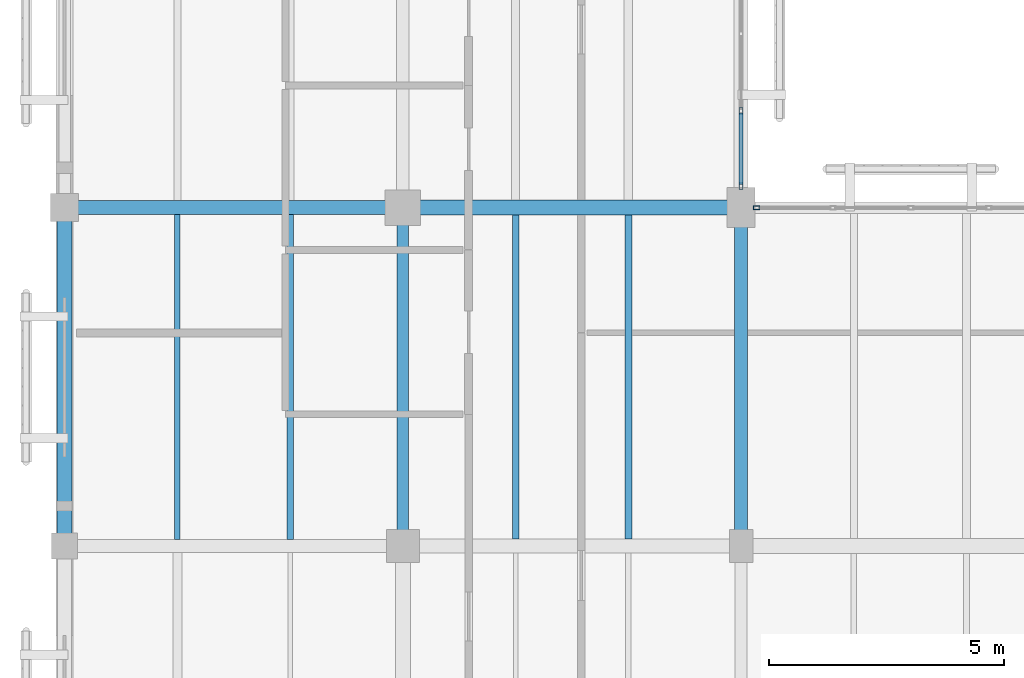
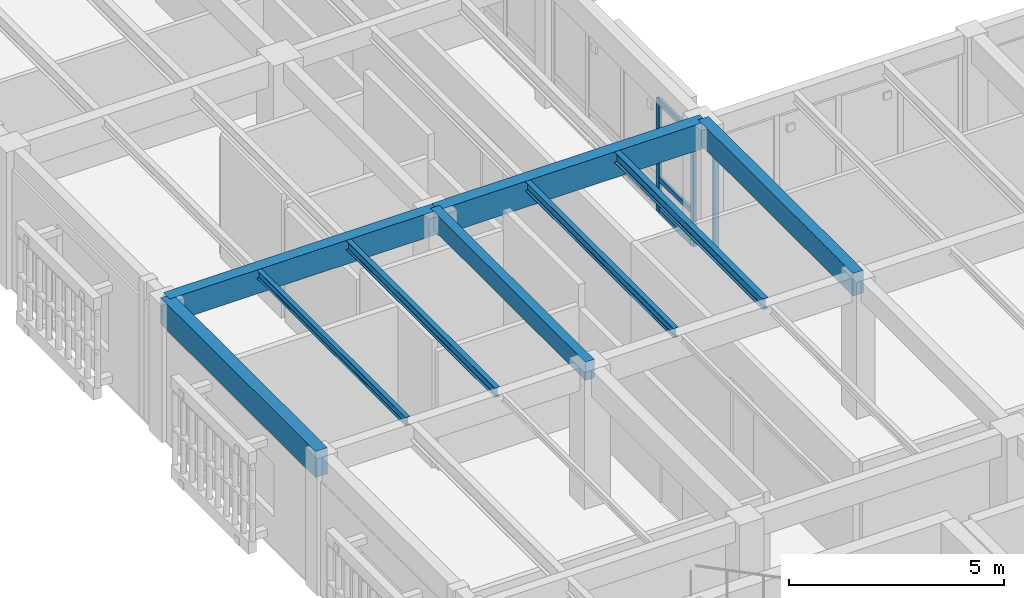
# One storey, part 28 of 170: 9 beams, 6 members, 2 elements without a shape of their own.
"""IFC4 building model written with IfcOpenShell, lengths in metres."""

from ifc_helpers import new_model, si_unit, direction, frame, origin, origin_2d, place, context, subcontext, project, spatial, rectangle, hollow_rectangle, i_section, extrude, material, layer, layer_set, material_profile, profile_set, type_object, element, aggregate, save


model = new_model("IFC4")

# Units and contexts
model_context = context("Model", 3, precision=1e-05, world=origin(), true_north=direction((0.0, 1.0)))
body_context = subcontext(model_context, "Body", "Model", "MODEL_VIEW")
ifc_project = project(units=[si_unit("LENGTHUNIT", "METRE"), si_unit("AREAUNIT", "SQUARE_METRE"), si_unit("VOLUMEUNIT", "CUBIC_METRE"), si_unit("PLANEANGLEUNIT", "RADIAN"), si_unit("MASSUNIT", "GRAM", prefix="KILO")], contexts=[model_context])

# Site, building, storey
site_placement = place(None, origin())
site = spatial("IfcSite", under=ifc_project, at=site_placement, CompositionType="ELEMENT")
building_placement = place(site_placement, origin())
building = spatial("IfcBuilding", under=site, at=building_placement, Name="Mazaris Harbour Polytechnic", CompositionType="ELEMENT")
storey_placement = place(building_placement, frame((0.0, 0.0, 5.39990234375)))
storey = spatial("IfcBuildingStorey", under=building, at=storey_placement, Name="L01", CompositionType="ELEMENT", Elevation=5.39990234375)

# Curtain wall, member
ifc_material_1 = material(Name="Anodised Bronze Aluminium and Low-E Glass", Category="aluminium")
ifc_layer = layer(ifc_material_1, 0.159912109375, Name="Anodised Bronze Aluminium and Low-E Glass")
ifc_layer_set = layer_set([ifc_layer], Name="Anodised Bronze Aluminium and Low-E Glass")
curtain_wall_type = type_object("IfcCurtainWallType", Name="Cloister Court Curtain Wall", PredefinedType="NOTDEFINED", material=ifc_layer_set)
curtain_wall_1_placement = place(storey_placement, origin())
curtain_wall_1 = element("IfcCurtainWall", 1, at=curtain_wall_1_placement, inside=storey, type_object=curtain_wall_type, Name="V4 L01 Curtain Wall 116", PredefinedType="NOTDEFINED")
ifc_material_2 = material(Name="Anodised Bronze Steel S355", Category="steel")
ifc_material_profile_1 = material_profile(ifc_material_2, hollow_rectangle(XDim=0.080078125, YDim=0.139892578125, WallThickness=0.00634765625, at=origin_2d()), Name="RHS 80x140x6.3")
ifc_profile_set_1 = profile_set([ifc_material_profile_1], Name="Anodised Bronze Steel S355")
member_type_1 = type_object("IfcMemberType", Name="Curtain Mullion RHS80x140", PredefinedType="MULLION", material=ifc_profile_set_1)
member_1_placement = place(storey_placement, frame((14.73193359375, 36.0, 0.0), z_axis=(0.0, 0.0, 1.0), x_axis=(0.0, 1.0, 0.0)))
member_1 = element("IfcMember", 2, at=member_1_placement, type_object=member_type_1, Name="CW-02 mullion 1", PredefinedType="MULLION", context=body_context, shape_type="SweptSolid", body=[
    extrude(hollow_rectangle(XDim=0.080078125, YDim=0.139892578125, WallThickness=0.00634765625, at=origin_2d()), origin(), (0.0, 0.0, 1.0), 3.360107421875),
])
aggregate(curtain_wall_1, [member_1])

# Curtain wall, members
curtain_wall_2_placement = place(storey_placement, origin())
curtain_wall_2 = element("IfcCurtainWall", 3, at=curtain_wall_2_placement, inside=storey, type_object=curtain_wall_type, Name="V4 L01 Curtain Wall 120", PredefinedType="NOTDEFINED")
member_2_placement = place(storey_placement, frame((14.39990234375, 36.45703125, 0.0), z_axis=(0.0, 0.0, 1.0), x_axis=(-1.0, 0.0, 0.0)))
member_2 = element("IfcMember", 4, at=member_2_placement, type_object=member_type_1, Name="CW-02 mullion 1", PredefinedType="MULLION", context=body_context, shape_type="SweptSolid", body=[
    extrude(hollow_rectangle(XDim=0.080078125, YDim=0.139892578125, WallThickness=0.00634765625, at=origin_2d()), origin(), (0.0, 0.0, 1.0), 3.2001953125),
])
member_3_placement = place(storey_placement, frame((14.39990234375, 38.05859375, 0.0), z_axis=(0.0, 0.0, 1.0), x_axis=(-1.0, 0.0, 0.0)))
member_3 = element("IfcMember", 5, at=member_3_placement, type_object=member_type_1, Name="CW-02 mullion 2", PredefinedType="MULLION", context=body_context, shape_type="SweptSolid", body=[
    extrude(hollow_rectangle(XDim=0.080078125, YDim=0.139892578125, WallThickness=0.00634765625, at=origin_2d()), origin(), (0.0, 0.0, 1.0), 3.2001953125),
])
ifc_material_3 = material(Name="Anodised Bronze Steel S355", Category="steel")
ifc_material_profile_2 = material_profile(ifc_material_3, hollow_rectangle(XDim=0.080078125, YDim=0.139892578125, WallThickness=0.00634765625, at=origin_2d()), Name="RHS 80x140x6.3")
ifc_profile_set_2 = profile_set([ifc_material_profile_2], Name="Anodised Bronze Steel S355")
member_type_2 = type_object("IfcMemberType", Name="Curtain Transom RHS80x140", PredefinedType="USERDEFINED", material=ifc_profile_set_2)
member_4_placement = place(storey_placement, frame((14.39990234375, 36.4970703125, 0.0400390625), z_axis=(0.0, 1.0, 0.0), x_axis=(-1.0, 0.0, 0.0)))
member_4 = element("IfcMember", 6, at=member_4_placement, type_object=member_type_2, Name="CW-02 transom 1.1", ObjectType="TRANSOM", PredefinedType="USERDEFINED", context=body_context, shape_type="SweptSolid", body=[
    extrude(hollow_rectangle(XDim=0.080078125, YDim=0.139892578125, WallThickness=0.00634765625, at=origin_2d()), origin(), (0.0, 0.0, 1.0), 1.521484375),
])
member_5_placement = place(storey_placement, frame((14.39990234375, 36.4970703125, 0.9501953125), z_axis=(0.0, 1.0, 0.0), x_axis=(-1.0, 0.0, 0.0)))
member_5 = element("IfcMember", 7, at=member_5_placement, type_object=member_type_2, Name="CW-02 transom 1.2", ObjectType="TRANSOM", PredefinedType="USERDEFINED", context=body_context, shape_type="SweptSolid", body=[
    extrude(hollow_rectangle(XDim=0.080078125, YDim=0.139892578125, WallThickness=0.00634765625, at=origin_2d()), origin(), (0.0, 0.0, 1.0), 1.521484375),
])
member_6_placement = place(storey_placement, frame((14.39990234375, 36.4970703125, 3.16015625), z_axis=(0.0, 1.0, 0.0), x_axis=(-1.0, 0.0, 0.0)))
member_6 = element("IfcMember", 8, at=member_6_placement, type_object=member_type_2, Name="CW-02 transom 1.3", ObjectType="TRANSOM", PredefinedType="USERDEFINED", context=body_context, shape_type="SweptSolid", body=[
    extrude(hollow_rectangle(XDim=0.080078125, YDim=0.139892578125, WallThickness=0.00634765625, at=origin_2d()), origin(), (0.0, 0.0, 1.0), 1.521484375),
])
aggregate(curtain_wall_2, [member_2, member_3, member_4, member_5, member_6])

# Beams
ifc_material_4 = material(Name="Glulam GL32h", Category="wood")
ifc_material_profile_3 = material_profile(ifc_material_4, rectangle(XDim=0.239990234375, YDim=0.52001953125, at=origin_2d()), Name="RECT240x520")
ifc_profile_set_3 = profile_set([ifc_material_profile_3], Name="Glulam GL32h")
beam_type_1 = type_object("IfcBeamType", Name="Glulam Girder 240x520", PredefinedType="BEAM", material=ifc_profile_set_3)
beam_1_placement = place(storey_placement, frame((7.199951171875, 28.800048828125, 3.630126953125), z_axis=(0.0, 1.0, 0.0), x_axis=(-1.0, 0.0, 0.0)))
element("IfcBeam", 9, at=beam_1_placement, inside=storey, type_object=beam_type_1, Name="V4 L01 Tie Girder 1710", PredefinedType="BEAM", context=body_context, shape_type="SweptSolid", body=[
    extrude(rectangle(XDim=0.239990234375, YDim=0.52001953125, at=origin_2d()), origin(), (0.0, 0.0, 1.0), 7.199951171875),
])
ifc_material_5 = material(Name="Glulam GL32h", Category="wood")
ifc_material_profile_4 = material_profile(ifc_material_5, rectangle(XDim=0.280029296875, YDim=0.639892578125, at=origin_2d()), Name="RECT280x640")
ifc_profile_set_4 = profile_set([ifc_material_profile_4], Name="Glulam GL32h")
beam_type_2 = type_object("IfcBeamType", Name="Glulam Girder 280x640", PredefinedType="BEAM", material=ifc_profile_set_4)
beam_2_placement = place(storey_placement, frame((14.39990234375, 28.800048828125, 3.570068359375), z_axis=(0.0, 1.0, 0.0), x_axis=(-1.0, 0.0, 0.0)))
element("IfcBeam", 10, at=beam_2_placement, inside=storey, type_object=beam_type_2, Name="V4 L01 Tie Girder 1722", PredefinedType="BEAM", context=body_context, shape_type="SweptSolid", body=[
    extrude(rectangle(XDim=0.280029296875, YDim=0.639892578125, at=origin_2d()), origin(), (0.0, 0.0, 1.0), 7.199951171875),
])
ifc_material_6 = material(Name="Glulam GL32h", Category="wood")
ifc_material_profile_5 = material_profile(ifc_material_6, rectangle(XDim=0.300048828125, YDim=0.679931640625, at=origin_2d()), Name="RECT300x680")
ifc_profile_set_5 = profile_set([ifc_material_profile_5], Name="Glulam GL32h")
beam_type_3 = type_object("IfcBeamType", Name="Glulam Girder 300x680", PredefinedType="BEAM", material=ifc_profile_set_5)
beam_3_placement = place(storey_placement, frame((0.0, 36.0, 3.550048828125), z_axis=(1.0, 0.0, 0.0), x_axis=(0.0, 1.0, 0.0)))
element("IfcBeam", 11, at=beam_3_placement, inside=storey, type_object=beam_type_3, Name="V4 L01 Girder 1648", PredefinedType="BEAM", context=body_context, shape_type="SweptSolid", body=[
    extrude(rectangle(XDim=0.300048828125, YDim=0.679931640625, at=origin_2d()), origin(), (0.0, 0.0, 1.0), 7.199951171875),
])
ifc_material_7 = material(Name="Glulam GL32h", Category="wood")
ifc_material_profile_6 = material_profile(ifc_material_7, rectangle(XDim=0.320068359375, YDim=0.739990234375, at=origin_2d()), Name="RECT320x740")
ifc_profile_set_6 = profile_set([ifc_material_profile_6], Name="Glulam GL32h")
beam_type_4 = type_object("IfcBeamType", Name="Glulam Girder 320x740", PredefinedType="BEAM", material=ifc_profile_set_6)
beam_4_placement = place(storey_placement, frame((7.199951171875, 36.0, 3.52001953125), z_axis=(1.0, 0.0, 0.0), x_axis=(0.0, 1.0, 0.0)))
element("IfcBeam", 12, at=beam_4_placement, inside=storey, type_object=beam_type_4, Name="V4 L01 Girder 1649", PredefinedType="BEAM", context=body_context, shape_type="SweptSolid", body=[
    extrude(rectangle(XDim=0.320068359375, YDim=0.739990234375, at=origin_2d()), origin(), (0.0, 0.0, 1.0), 7.199951171875),
])
ifc_material_8 = material(Name="Glulam GL32h", Category="wood")
ifc_material_profile_7 = material_profile(ifc_material_8, rectangle(XDim=0.320068359375, YDim=0.739990234375, at=origin_2d()), Name="RECT320x740")
ifc_profile_set_7 = profile_set([ifc_material_profile_7], Name="Glulam GL32h")
beam_type_5 = type_object("IfcBeamType", Name="Glulam Girder 320x740 Exterior", PredefinedType="BEAM", material=ifc_profile_set_7)
beam_5_placement = place(storey_placement, frame((0.0, 28.800048828125, 3.52001953125), z_axis=(0.0, 1.0, 0.0), x_axis=(-1.0, 0.0, 0.0)))
element("IfcBeam", 13, at=beam_5_placement, inside=storey, type_object=beam_type_5, Name="V4 L01 Tie Girder 1699", PredefinedType="BEAM", context=body_context, shape_type="SweptSolid", body=[
    extrude(rectangle(XDim=0.320068359375, YDim=0.739990234375, at=origin_2d()), origin(), (0.0, 0.0, 1.0), 7.199951171875),
])
ifc_material_9 = material(Name="Steel S355", Category="steel")
ifc_material_profile_8 = material_profile(ifc_material_9, i_section(OverallWidth=0.1201171875, OverallDepth=0.239990234375, WebThickness=0.006103515625, FlangeThickness=0.009765625, FilletRadius=0.014892578125, at=origin_2d()), Name="IPE 240")
ifc_profile_set_8 = profile_set([ifc_material_profile_8], Name="Steel S355")
beam_type_6 = type_object("IfcBeamType", Name="Steel Joist IPE240", PredefinedType="JOIST", material=ifc_profile_set_8)
beam_6_placement = place(storey_placement, frame((2.39990234375, 28.93994140625, 3.77001953125), z_axis=(0.0, 1.0, 0.0), x_axis=(-1.0, 0.0, 0.0)))
element("IfcBeam", 14, at=beam_6_placement, inside=storey, type_object=beam_type_6, Name="V4 L01 Floor Joist 1779", PredefinedType="JOIST", context=body_context, shape_type="SweptSolid", body=[
    extrude(i_section(OverallWidth=0.1201171875, OverallDepth=0.239990234375, WebThickness=0.006103515625, FlangeThickness=0.009765625, FilletRadius=0.014892578125, at=origin_2d()), origin(), (0.0, 0.0, 1.0), 6.91015625),
])
ifc_material_10 = material(Name="Steel S355", Category="steel")
ifc_material_profile_9 = material_profile(ifc_material_10, i_section(OverallWidth=0.135009765625, OverallDepth=0.27001953125, WebThickness=0.006591796875, FlangeThickness=0.01025390625, FilletRadius=0.014892578125, at=origin_2d()), Name="IPE 270")
ifc_profile_set_9 = profile_set([ifc_material_profile_9], Name="Steel S355")
beam_type_7 = type_object("IfcBeamType", Name="Steel Joist IPE270", PredefinedType="JOIST", material=ifc_profile_set_9)
beam_7_placement = place(storey_placement, frame((4.800048828125, 28.93994140625, 3.755126953125), z_axis=(0.0, 1.0, 0.0), x_axis=(-1.0, 0.0, 0.0)))
element("IfcBeam", 15, at=beam_7_placement, inside=storey, type_object=beam_type_7, Name="V4 L01 Floor Joist 1780", PredefinedType="JOIST", context=body_context, shape_type="SweptSolid", body=[
    extrude(i_section(OverallWidth=0.135009765625, OverallDepth=0.27001953125, WebThickness=0.006591796875, FlangeThickness=0.01025390625, FilletRadius=0.014892578125, at=origin_2d()), origin(), (0.0, 0.0, 1.0), 6.91015625),
])
beam_8_placement = place(storey_placement, frame((9.60009765625, 28.949951171875, 3.755126953125), z_axis=(0.0, 1.0, 0.0), x_axis=(-1.0, 0.0, 0.0)))
element("IfcBeam", 16, at=beam_8_placement, inside=storey, type_object=beam_type_7, Name="V4 L01 Floor Joist 1801", PredefinedType="JOIST", context=body_context, shape_type="SweptSolid", body=[
    extrude(i_section(OverallWidth=0.135009765625, OverallDepth=0.27001953125, WebThickness=0.006591796875, FlangeThickness=0.01025390625, FilletRadius=0.014892578125, at=origin_2d()), origin(), (0.0, 0.0, 1.0), 6.89013671875),
])
ifc_material_11 = material(Name="Steel S355", Category="steel")
ifc_material_profile_10 = material_profile(ifc_material_11, i_section(OverallWidth=0.14990234375, OverallDepth=0.300048828125, WebThickness=0.007080078125, FlangeThickness=0.0107421875, FilletRadius=0.014892578125, at=origin_2d()), Name="IPE 300")
ifc_profile_set_10 = profile_set([ifc_material_profile_10], Name="Steel S355")
beam_type_8 = type_object("IfcBeamType", Name="Steel Joist IPE300", PredefinedType="JOIST", material=ifc_profile_set_10)
beam_9_placement = place(storey_placement, frame((12.0, 28.949951171875, 3.739990234375), z_axis=(0.0, 1.0, 0.0), x_axis=(-1.0, 0.0, 0.0)))
element("IfcBeam", 17, at=beam_9_placement, inside=storey, type_object=beam_type_8, Name="V4 L01 Floor Joist 1802", PredefinedType="JOIST", context=body_context, shape_type="SweptSolid", body=[
    extrude(i_section(OverallWidth=0.14990234375, OverallDepth=0.300048828125, WebThickness=0.007080078125, FlangeThickness=0.0107421875, FilletRadius=0.014892578125, at=origin_2d()), origin(), (0.0, 0.0, 1.0), 6.89013671875),
])

save(model, "model.ifc")
